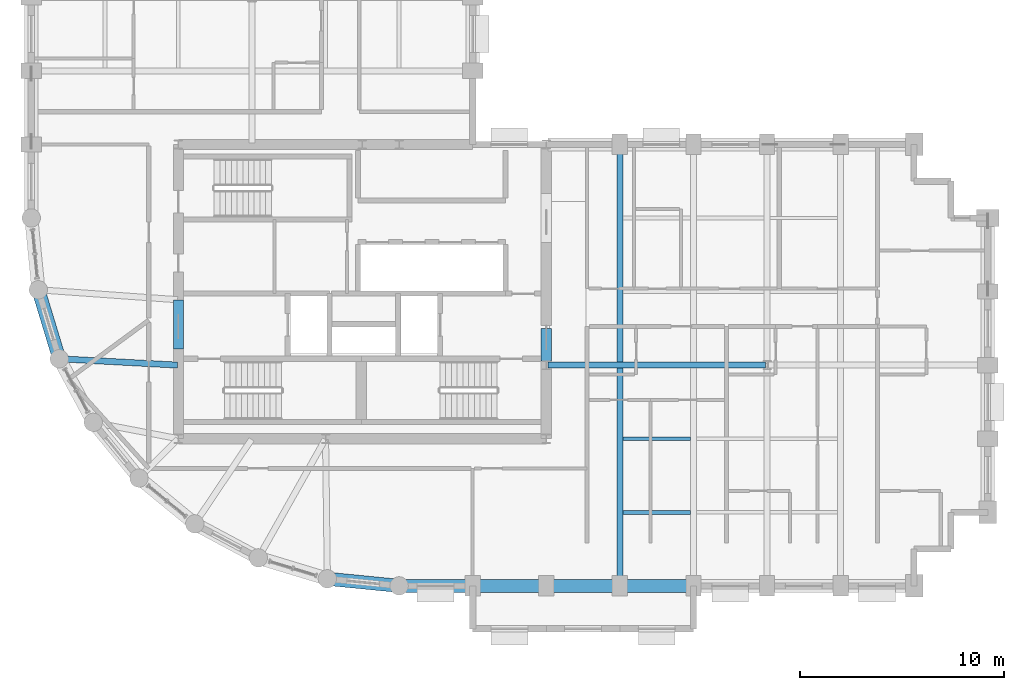
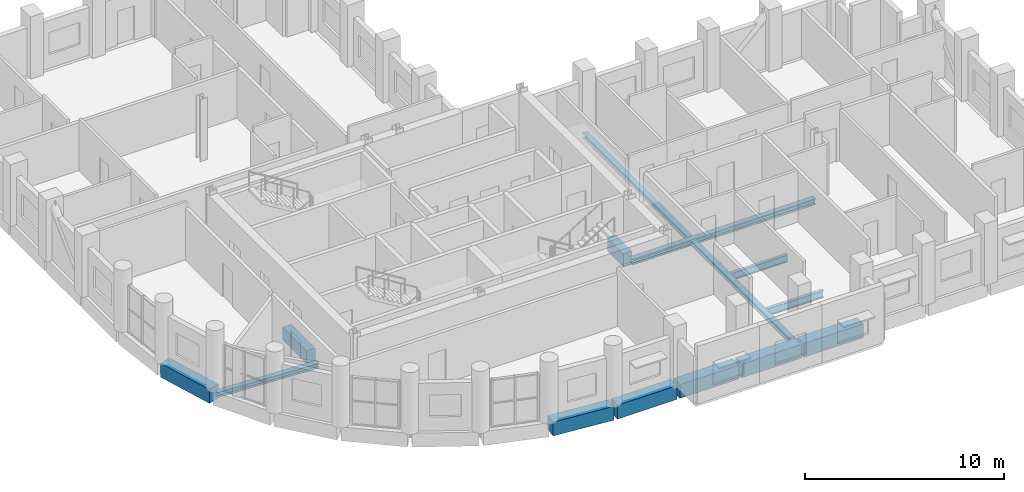
# One storey, part 3 of 14: 13 beams.
"""IFC4 building model written with IfcOpenShell, lengths in metres."""

from ifc_helpers import new_model, si_unit, direction, frame, origin, origin_2d, place, context, subcontext, project, spatial, rectangle, i_section, extrude, material, material_profile, profile_set, type_object, element, save


model = new_model("IFC4")

# Units and contexts
model_context = context("Model", 3, precision=1e-05, world=origin(), true_north=direction((0.0, 1.0)))
body_context = subcontext(model_context, "Body", "Model", "MODEL_VIEW")
ifc_project = project(units=[si_unit("LENGTHUNIT", "METRE"), si_unit("AREAUNIT", "SQUARE_METRE"), si_unit("VOLUMEUNIT", "CUBIC_METRE"), si_unit("PLANEANGLEUNIT", "RADIAN"), si_unit("MASSUNIT", "GRAM", prefix="KILO")], contexts=[model_context])

# Site, building, storey
site_placement = place(None, origin())
site = spatial("IfcSite", under=ifc_project, at=site_placement, CompositionType="ELEMENT")
building_placement = place(site_placement, origin())
building = spatial("IfcBuilding", under=site, at=building_placement, Name="Solnavia Interchange Tower", CompositionType="ELEMENT")
storey_placement = place(building_placement, frame((0.0, 0.0, 135.199951171875)))
storey = spatial("IfcBuildingStorey", under=building, at=storey_placement, Name="L33", CompositionType="ELEMENT", Elevation=135.199951171875)

# Beams
ifc_material_1 = material(Name="Concrete C50/60", Category="concrete")
ifc_material_profile_1 = material_profile(ifc_material_1, rectangle(XDim=0.5, YDim=0.800048828125, at=origin_2d()), Name="RC 500x800")
ifc_profile_set_1 = profile_set([ifc_material_profile_1], Name="Concrete C50/60")
beam_type_1 = type_object("IfcBeamType", Name="Beam-Coupling-RC500x800", PredefinedType="LINTEL", material=ifc_profile_set_1)
beam_1_placement = place(storey_placement, frame((14.39990234375, 15.199951171875, -0.39990234375), z_axis=(0.0, 1.0, 0.0), x_axis=(-1.0, 0.0, 0.0)))
element("IfcBeam", 1, at=beam_1_placement, inside=storey, type_object=beam_type_1, Name="CPB-L33-W1 Core coupling lintel beam", PredefinedType="LINTEL", context=body_context, shape_type="SweptSolid", body=[
    extrude(rectangle(XDim=0.5, YDim=0.800048828125, at=origin_2d()), origin(), (0.0, 0.0, 1.0), 2.400146484375),
])
beam_2_placement = place(storey_placement, frame((32.39990234375, 14.60009765625, -0.39990234375), z_axis=(0.0, 1.0, 0.0), x_axis=(-1.0, 0.0, 0.0)))
element("IfcBeam", 2, at=beam_2_placement, inside=storey, type_object=beam_type_1, Name="CPB-L33-E1 Core coupling lintel beam", PredefinedType="LINTEL", context=body_context, shape_type="SweptSolid", body=[
    extrude(rectangle(XDim=0.5, YDim=0.800048828125, at=origin_2d()), origin(), (0.0, 0.0, 1.0), 1.599853515625),
])
ifc_material_2 = material(Name="Steel S460", Category="steel")
ifc_material_profile_2 = material_profile(ifc_material_2, i_section(OverallWidth=0.300048828125, OverallDepth=0.360107421875, WebThickness=0.012451171875, FlangeThickness=0.0224609375, FilletRadius=0.027099609375, at=origin_2d()), Name="HEB 360")
ifc_profile_set_2 = profile_set([ifc_material_profile_2], Name="Steel S460")
beam_type_2 = type_object("IfcBeamType", Name="Beam-Girder-HEB360", PredefinedType="BEAM", material=ifc_profile_set_2)
beam_3_placement = place(storey_placement, frame((32.47998046875, 14.39990234375, -0.429931640625), z_axis=(1.0, 0.0, 0.0), x_axis=(0.0, 1.0, 0.0)))
element("IfcBeam", 3, at=beam_3_placement, inside=storey, type_object=beam_type_2, Name="GRD-L33-ES01 East wing spine girder", PredefinedType="BEAM", context=body_context, shape_type="SweptSolid", body=[
    extrude(i_section(OverallWidth=0.300048828125, OverallDepth=0.360107421875, WebThickness=0.012451171875, FlangeThickness=0.0224609375, FilletRadius=0.027099609375, at=origin_2d()), origin(), (0.0, 0.0, 1.0), 10.64013671875),
])
ifc_material_3 = material(Name="Steel S355", Category="steel")
ifc_material_profile_3 = material_profile(ifc_material_3, i_section(OverallWidth=0.18994140625, OverallDepth=0.449951171875, WebThickness=0.009521484375, FlangeThickness=0.0146484375, FilletRadius=0.02099609375, at=origin_2d()), Name="IPE 450")
ifc_profile_set_3 = profile_set([ifc_material_profile_3], Name="Steel S355")
beam_type_3 = type_object("IfcBeamType", Name="Beam-Joist-IPE450", PredefinedType="JOIST", material=ifc_profile_set_3)
for number, where, z_axis, x_axis, name in (
    (4, (36.14990234375, 7.199951171875, -0.474853515625), (1.0, 0.0, 0.0), (0.0, 1.0, 0.0), "JST-L33-E01 East wing secondary joist"),
    (5, (36.14990234375, 10.800048828125, -0.474853515625), (1.0, 0.0, 0.0), (0.0, 1.0, 0.0), "JST-L33-E04 East wing secondary joist"),
):
    element("IfcBeam", number, at=place(storey_placement, frame(where, z_axis=z_axis, x_axis=x_axis)), inside=storey, type_object=beam_type_3, Name=name, PredefinedType="JOIST", context=body_context, shape_type="SweptSolid", body=[
        extrude(i_section(OverallWidth=0.18994140625, OverallDepth=0.449951171875, WebThickness=0.009521484375, FlangeThickness=0.0146484375, FilletRadius=0.02099609375, at=origin_2d()), origin(), (0.0, 0.0, 1.0), 3.300048828125),
    ])
ifc_material_profile_4 = material_profile(ifc_material_3, i_section(OverallWidth=0.300048828125, OverallDepth=0.31005859375, WebThickness=0.009033203125, FlangeThickness=0.015380859375, FilletRadius=0.027099609375, at=origin_2d()), Name="HEA 320")
ifc_profile_set_4 = profile_set([ifc_material_profile_4], Name="Steel S355")
beam_type_4 = type_object("IfcBeamType", Name="Beam-Primary-HEA320", PredefinedType="BEAM", material=ifc_profile_set_4)
beam_4_placement = place(storey_placement, frame((36.0, 3.679931640625, -0.405029296875), z_axis=(0.0, 1.0, 0.0), x_axis=(-1.0, 0.0, 0.0)))
element("IfcBeam", 6, at=beam_4_placement, inside=storey, type_object=beam_type_4, Name="GRD-L33-EW03 East wing primary floor girder", PredefinedType="BEAM", context=body_context, shape_type="SweptSolid", body=[
    extrude(i_section(OverallWidth=0.300048828125, OverallDepth=0.31005859375, WebThickness=0.009033203125, FlangeThickness=0.015380859375, FilletRadius=0.027099609375, at=origin_2d()), origin(), (0.0, 0.0, 1.0), 21.440185546875),
])
beam_5_placement = place(storey_placement, frame((8.64990234375, 14.707763671875, -0.405029296875), z_axis=(0.998570371303, -0.053452909696, 0.0), x_axis=(0.053452909696, 0.998570371303, 0.0)))
element("IfcBeam", 7, at=beam_5_placement, inside=storey, type_object=beam_type_4, Name="GRD-L33-DR15 Drum radial floor girder", PredefinedType="BEAM", context=body_context, shape_type="SweptSolid", body=[
    extrude(i_section(OverallWidth=0.300048828125, OverallDepth=0.31005859375, WebThickness=0.009033203125, FlangeThickness=0.015380859375, FilletRadius=0.027099609375, at=origin_2d()), origin(), (0.0, 0.0, 1.0), 5.71826171875),
])
ifc_material_profile_5 = material_profile(ifc_material_1, rectangle(XDim=0.64990234375, YDim=0.85009765625, at=origin_2d()), Name="RC 650x850")
ifc_profile_set_5 = profile_set([ifc_material_profile_5], Name="Concrete C50/60")
beam_type_5 = type_object("IfcBeamType", Name="Beam-Spandrel-RC650x850", PredefinedType="SPANDREL", material=ifc_profile_set_5)
beam_6_placement = place(storey_placement, frame((7.569091796875, 18.011474609375, -0.425048828125), z_axis=(0.290319223646, -0.956929855518, 0.0), x_axis=(0.956929855518, 0.290319223646, 0.0)))
element("IfcBeam", 8, at=beam_6_placement, inside=storey, type_object=beam_type_5, Name="SPB-L33-02 Framed-tube perimeter spandrel beam", PredefinedType="SPANDREL", context=body_context, shape_type="SweptSolid", body=[
    extrude(rectangle(XDim=0.64990234375, YDim=0.85009765625, at=origin_2d()), origin(), (0.0, 0.0, 1.0), 3.367919921875),
])
beam_7_placement = place(storey_placement, frame((21.767578125, 3.938232421875, -0.425048828125), z_axis=(0.995181774609, -0.098047108501, 0.0), x_axis=(0.098047108501, 0.995181774609, 0.0)))
element("IfcBeam", 9, at=beam_7_placement, inside=storey, type_object=beam_type_5, Name="SPB-L33-08 Framed-tube perimeter spandrel beam", PredefinedType="SPANDREL", context=body_context, shape_type="SweptSolid", body=[
    extrude(rectangle(XDim=0.64990234375, YDim=0.85009765625, at=origin_2d()), origin(), (0.0, 0.0, 1.0), 3.368896484375),
])
beam_8_placement = place(storey_placement, frame((25.280029296875, 3.60009765625, -0.425048828125), z_axis=(1.0, 0.0, 0.0), x_axis=(0.0, 1.0, 0.0)))
element("IfcBeam", 10, at=beam_8_placement, inside=storey, type_object=beam_type_5, Name="SPB-L33-09 Framed-tube perimeter spandrel beam", PredefinedType="SPANDREL", context=body_context, shape_type="SweptSolid", body=[
    extrude(rectangle(XDim=0.64990234375, YDim=0.85009765625, at=origin_2d()), origin(), (0.0, 0.0, 1.0), 3.43994140625),
])
beam_9_placement = place(storey_placement, frame((28.8798828125, 3.60009765625, -0.425048828125), z_axis=(1.0, 0.0, 0.0), x_axis=(0.0, 1.0, 0.0)))
element("IfcBeam", 11, at=beam_9_placement, inside=storey, type_object=beam_type_5, Name="SPB-L33-10 Framed-tube perimeter spandrel beam", PredefinedType="SPANDREL", context=body_context, shape_type="SweptSolid", body=[
    extrude(rectangle(XDim=0.64990234375, YDim=0.85009765625, at=origin_2d()), origin(), (0.0, 0.0, 1.0), 3.440185546875),
])
for number, where, z_axis, x_axis, name in (
    (12, (32.47998046875, 3.60009765625, -0.425048828125), (1.0, 0.0, 0.0), (0.0, 1.0, 0.0), "SPB-L33-11 Framed-tube perimeter spandrel beam"),
    (13, (36.080078125, 3.60009765625, -0.425048828125), (1.0, 0.0, 0.0), (0.0, 1.0, 0.0), "SPB-L33-12 Framed-tube perimeter spandrel beam"),
):
    element("IfcBeam", number, at=place(storey_placement, frame(where, z_axis=z_axis, x_axis=x_axis)), inside=storey, type_object=beam_type_5, Name=name, PredefinedType="SPANDREL", context=body_context, shape_type="SweptSolid", body=[
        extrude(rectangle(XDim=0.64990234375, YDim=0.85009765625, at=origin_2d()), origin(), (0.0, 0.0, 1.0), 3.43994140625),
    ])

save(model, "model.ifc")
